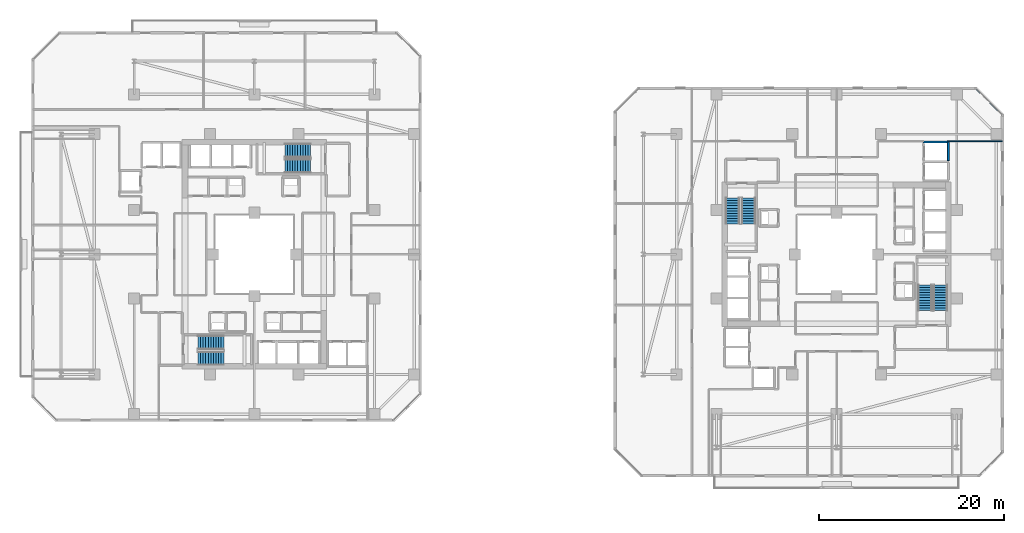
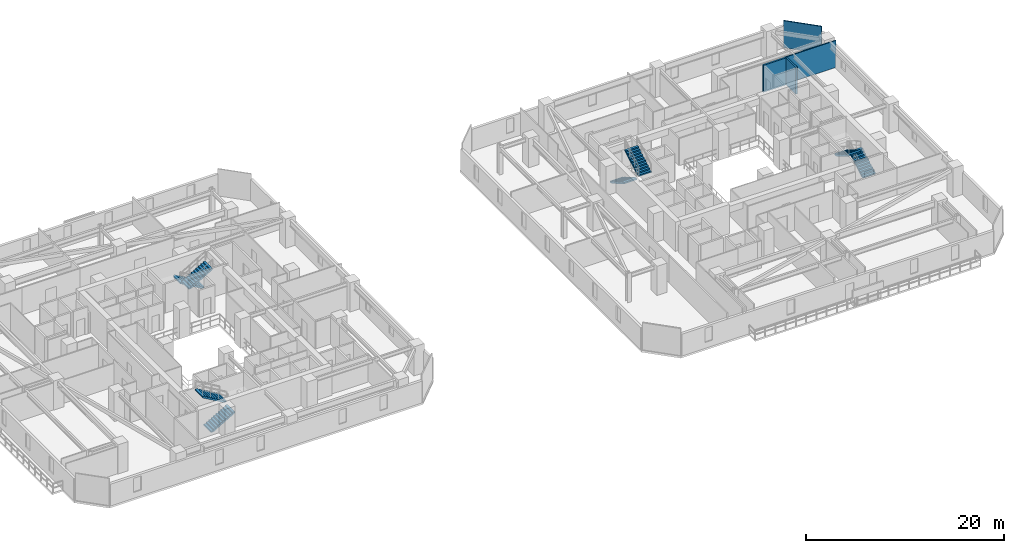
# One storey, part 27 of 33: 8 stair flights, 4 walls, 4 elements without a shape of their own.
"""IFC4 building model written with IfcOpenShell, lengths in metres."""

from ifc_helpers import new_model, si_unit, direction, frame, frame_2d, origin, place, context, subcontext, project, spatial, polyline, rectangle, outline, extrude, material, layer, layer_set, type_object, element, aggregate, save


model = new_model("IFC4")

# Units and contexts
model_context = context("Model", 3, precision=1e-05, world=origin(), true_north=direction((0.0, 1.0)))
body_context = subcontext(model_context, "Body", "Model", "MODEL_VIEW")
ifc_project = project(units=[si_unit("LENGTHUNIT", "METRE"), si_unit("AREAUNIT", "SQUARE_METRE"), si_unit("VOLUMEUNIT", "CUBIC_METRE"), si_unit("PLANEANGLEUNIT", "RADIAN"), si_unit("MASSUNIT", "GRAM", prefix="KILO")], contexts=[model_context])

# Site, building, storey
site_placement = place(None, origin())
site = spatial("IfcSite", under=ifc_project, at=site_placement, CompositionType="ELEMENT")
building_placement = place(site_placement, origin())
building = spatial("IfcBuilding", under=site, at=building_placement, Name="Thornwick Lancets Civic Towers", CompositionType="ELEMENT")
storey_placement = place(building_placement, frame((0.0, 0.0, 112.5)))
storey = spatial("IfcBuildingStorey", under=building, at=storey_placement, Name="L29", CompositionType="ELEMENT", Elevation=112.5)

# Walls
ifc_material_1 = material(Name="Concrete blockwork C40/50", Category="masonry")
ifc_layer_1 = layer(ifc_material_1, 0.199951171875, Name="Concrete blockwork C40/50")
ifc_layer_set_1 = layer_set([ifc_layer_1], Name="Concrete blockwork C40/50")
wall_type_1 = type_object("IfcWallType", Name="WALL_COMP_200", PredefinedType="STANDARD", material=ifc_layer_set_1)
wall_1_placement = place(storey_placement, frame((100.60009765625, 37.132080078125, 0.0), z_axis=(0.0, 0.0, 1.0), x_axis=(0.0, 1.0, 0.0)))
element("IfcWall", 1, at=wall_1_placement, inside=storey, type_object=wall_type_1, Name="L29 Hoistway Shaft Wall PL-BL2 E", PredefinedType="STANDARD", context=body_context, shape_type="SweptSolid", body=[
    extrude(rectangle(XDim=2.015869140625, YDim=0.199951171875, at=frame_2d((1.0078125, 0.0))), origin(), (0.0, 0.0, 1.0), 3.340087890625),
])
wall_2_placement = place(storey_placement, frame((97.85205078125, 39.14990234375, 0.0), z_axis=(0.0, 0.0, 1.0), x_axis=(1.0, 0.0, 0.0)))
element("IfcWall", 2, at=wall_2_placement, inside=storey, type_object=wall_type_1, Name="L29 Hoistway Shaft Wall PL-BL3 N", PredefinedType="STANDARD", context=body_context, shape_type="SweptSolid", body=[
    extrude(rectangle(XDim=2.635986328125, YDim=0.199951171875, at=frame_2d((1.31787109375, 0.0))), origin(), (0.0, 0.0, 1.0), 3.340087890625),
])
ifc_material_2 = material(Name="Acoustic gypsum board partition")
ifc_layer_2 = layer(ifc_material_2, 0.1201171875, Name="Acoustic gypsum board partition")
ifc_layer_set_2 = layer_set([ifc_layer_2], Name="Acoustic gypsum board partition")
wall_type_2 = type_object("IfcWallType", Name="WALL_PART_120", PredefinedType="PARTITIONING", material=ifc_layer_set_2)
wall_3_placement = place(storey_placement, frame((106.419921875, 39.25, 0.0), z_axis=(0.0, 0.0, 1.0), x_axis=(-1.0, 0.0, 0.0)))
element("IfcWall", 3, at=wall_3_placement, inside=storey, type_object=wall_type_2, Name="L29 Partition L29-B-E1 E6", PredefinedType="PARTITIONING", context=body_context, shape_type="SweptSolid", body=[
    extrude(rectangle(XDim=5.931884765625, YDim=0.1201171875, at=frame_2d((2.9658203125, 0.0))), origin(), (0.0, 0.0, 1.0), 3.340087890625),
])
wall_4_placement = place(storey_placement, frame((103.598388671875, 44.919921875, 0.0), z_axis=(0.0, 0.0, 1.0), x_axis=(0.707106781187, -0.707106781187, 0.0)))
element("IfcWall", 4, at=wall_4_placement, inside=storey, type_object=wall_type_2, Name="L29 Partition L29-B-E1 E13", PredefinedType="PARTITIONING", context=body_context, shape_type="SweptSolid", body=[
    extrude(rectangle(XDim=3.990234375, YDim=0.1201171875, at=frame_2d((1.9951171875, 0.0))), origin(), (0.0, 0.0, 1.0), 3.340087890625),
])

# Stair, stair flights
ifc_material_3 = material(Name="Concrete C40/50", Category="concrete")
stair_type = type_object("IfcStairType", Name="STAIR_DL_3600", PredefinedType="HALF_TURN_STAIR", material=ifc_material_3)
stair_1_placement = place(storey_placement, origin())
stair_1 = element("IfcStair", 5, at=stair_1_placement, inside=storey, type_object=stair_type, Name="L29 Tower A South Exit Stair ST-A1", PredefinedType="HALF_TURN_STAIR")
stair_flight_type = type_object("IfcStairFlightType", Name="FLIGHT_3600", PredefinedType="STRAIGHT", material=ifc_material_3)
stair_flight_1_placement = place(storey_placement, frame((19.39990234375, 15.75, 0.0), z_axis=(0.0, 0.0, 1.0), x_axis=(1.0, 0.0, 0.0)))
stair_flight_1 = element("IfcStairFlight", 6, at=stair_flight_1_placement, type_object=stair_flight_type, Name="ST-A1 flight 1", NumberOfRisers=11, NumberOfTreads=10, PredefinedType="STRAIGHT", RiserHeight=0.163636364, TreadLength=0.28, context=body_context, shape_type="SweptSolid", body=[
    extrude(outline(polyline([(0.0, 0.0), (0.0, 0.16357421875), (0.280029296875, 0.16357421875), (0.280029296875, 0.327392578125), (0.56005859375, 0.327392578125), (0.56005859375, 0.490966796875), (0.840087890625, 0.490966796875), (0.840087890625, 0.654541015625), (1.1201171875, 0.654541015625), (1.1201171875, 0.818115234375), (1.39990234375, 0.818115234375), (1.39990234375, 0.98193359375), (1.679931640625, 0.98193359375), (1.679931640625, 1.1455078125), (1.9599609375, 1.1455078125), (1.9599609375, 1.30908203125), (2.239990234375, 1.30908203125), (2.239990234375, 1.47265625), (2.52001953125, 1.47265625), (2.52001953125, 1.636474609375), (2.800048828125, 1.636474609375), (2.800048828125, 1.800048828125), (2.800048828125, 1.462646484375), (0.297119140625, 0.0), (0.0, 0.0)])), frame((0.0, 0.75, 0.0), z_axis=(0.0, -1.0, 0.0), x_axis=(1.0, 0.0, 0.0)), (0.0, 0.0, 1.0), 1.5),
])
stair_flight_2_placement = place(storey_placement, frame((22.199951171875, 17.449951171875, 1.800048828125), z_axis=(0.0, 0.0, 1.0), x_axis=(-1.0, 0.0, 0.0)))
stair_flight_2 = element("IfcStairFlight", 7, at=stair_flight_2_placement, type_object=stair_flight_type, Name="ST-A1 flight 2", NumberOfRisers=11, NumberOfTreads=10, PredefinedType="STRAIGHT", RiserHeight=0.163636364, TreadLength=0.28, context=body_context, shape_type="SweptSolid", body=[
    extrude(outline(polyline([(0.0, 0.0), (0.0, 0.16357421875), (0.280029296875, 0.16357421875), (0.280029296875, 0.327392578125), (0.56005859375, 0.327392578125), (0.56005859375, 0.490966796875), (0.840087890625, 0.490966796875), (0.840087890625, 0.654541015625), (1.1201171875, 0.654541015625), (1.1201171875, 0.818115234375), (1.39990234375, 0.818115234375), (1.39990234375, 0.98193359375), (1.679931640625, 0.98193359375), (1.679931640625, 1.1455078125), (1.9599609375, 1.1455078125), (1.9599609375, 1.30908203125), (2.239990234375, 1.30908203125), (2.239990234375, 1.47265625), (2.52001953125, 1.47265625), (2.52001953125, 1.636474609375), (2.800048828125, 1.636474609375), (2.800048828125, 1.800048828125), (2.800048828125, 1.462646484375), (0.297119140625, 0.0), (0.0, 0.0)])), frame((0.0, 0.75, 0.0), z_axis=(0.0, -1.0, 0.0), x_axis=(1.0, 0.0, 0.0)), (0.0, 0.0, 1.0), 1.5),
])
aggregate(stair_1, [stair_flight_1, stair_flight_2])

stair_2_placement = place(storey_placement, origin())
stair_2 = element("IfcStair", 8, at=stair_2_placement, inside=storey, type_object=stair_type, Name="L29 Tower A North Exit Stair ST-A2", PredefinedType="HALF_TURN_STAIR")
stair_flight_3_placement = place(storey_placement, frame((31.60009765625, 38.25, 0.0), z_axis=(0.0, 0.0, 1.0), x_axis=(-1.0, 0.0, 0.0)))
stair_flight_3 = element("IfcStairFlight", 9, at=stair_flight_3_placement, type_object=stair_flight_type, Name="ST-A2 flight 1", NumberOfRisers=11, NumberOfTreads=10, PredefinedType="STRAIGHT", RiserHeight=0.163636364, TreadLength=0.28, context=body_context, shape_type="SweptSolid", body=[
    extrude(outline(polyline([(0.0, 0.0), (0.0, 0.16357421875), (0.280029296875, 0.16357421875), (0.280029296875, 0.327392578125), (0.56005859375, 0.327392578125), (0.56005859375, 0.490966796875), (0.840087890625, 0.490966796875), (0.840087890625, 0.654541015625), (1.1201171875, 0.654541015625), (1.1201171875, 0.818115234375), (1.39990234375, 0.818115234375), (1.39990234375, 0.98193359375), (1.679931640625, 0.98193359375), (1.679931640625, 1.1455078125), (1.9599609375, 1.1455078125), (1.9599609375, 1.30908203125), (2.239990234375, 1.30908203125), (2.239990234375, 1.47265625), (2.52001953125, 1.47265625), (2.52001953125, 1.636474609375), (2.800048828125, 1.636474609375), (2.800048828125, 1.800048828125), (2.800048828125, 1.462646484375), (0.297119140625, 0.0), (0.0, 0.0)])), frame((0.0, 0.75, 0.0), z_axis=(0.0, -1.0, 0.0), x_axis=(1.0, 0.0, 0.0)), (0.0, 0.0, 1.0), 1.5),
])
stair_flight_4_placement = place(storey_placement, frame((28.800048828125, 36.550048828125, 1.800048828125), z_axis=(0.0, 0.0, 1.0), x_axis=(1.0, 0.0, 0.0)))
stair_flight_4 = element("IfcStairFlight", 10, at=stair_flight_4_placement, type_object=stair_flight_type, Name="ST-A2 flight 2", NumberOfRisers=11, NumberOfTreads=10, PredefinedType="STRAIGHT", RiserHeight=0.163636364, TreadLength=0.28, context=body_context, shape_type="SweptSolid", body=[
    extrude(outline(polyline([(0.0, 0.0), (0.0, 0.16357421875), (0.280029296875, 0.16357421875), (0.280029296875, 0.327392578125), (0.56005859375, 0.327392578125), (0.56005859375, 0.490966796875), (0.840087890625, 0.490966796875), (0.840087890625, 0.654541015625), (1.1201171875, 0.654541015625), (1.1201171875, 0.818115234375), (1.39990234375, 0.818115234375), (1.39990234375, 0.98193359375), (1.679931640625, 0.98193359375), (1.679931640625, 1.1455078125), (1.9599609375, 1.1455078125), (1.9599609375, 1.30908203125), (2.239990234375, 1.30908203125), (2.239990234375, 1.47265625), (2.52001953125, 1.47265625), (2.52001953125, 1.636474609375), (2.800048828125, 1.636474609375), (2.800048828125, 1.800048828125), (2.800048828125, 1.462646484375), (0.297119140625, 0.0), (0.0, 0.0)])), frame((0.0, 0.75, 0.0), z_axis=(0.0, -1.0, 0.0), x_axis=(1.0, 0.0, 0.0)), (0.0, 0.0, 1.0), 1.5),
])
aggregate(stair_2, [stair_flight_3, stair_flight_4])

stair_3_placement = place(storey_placement, origin())
stair_3 = element("IfcStair", 11, at=stair_3_placement, inside=storey, type_object=stair_type, Name="L29 Tower B East Exit Stair ST-B1", PredefinedType="HALF_TURN_STAIR")
stair_flight_5_placement = place(storey_placement, frame((99.75, 20.89990234375, 0.0), z_axis=(0.0, 0.0, 1.0), x_axis=(0.0, 1.0, 0.0)))
stair_flight_5 = element("IfcStairFlight", 12, at=stair_flight_5_placement, type_object=stair_flight_type, Name="ST-B1 flight 1", NumberOfRisers=11, NumberOfTreads=10, PredefinedType="STRAIGHT", RiserHeight=0.163636364, TreadLength=0.28, context=body_context, shape_type="SweptSolid", body=[
    extrude(outline(polyline([(0.0, 0.0), (0.0, 0.16357421875), (0.280029296875, 0.16357421875), (0.280029296875, 0.327392578125), (0.56005859375, 0.327392578125), (0.56005859375, 0.490966796875), (0.840087890625, 0.490966796875), (0.840087890625, 0.654541015625), (1.1201171875, 0.654541015625), (1.1201171875, 0.818115234375), (1.39990234375, 0.818115234375), (1.39990234375, 0.98193359375), (1.679931640625, 0.98193359375), (1.679931640625, 1.1455078125), (1.9599609375, 1.1455078125), (1.9599609375, 1.30908203125), (2.239990234375, 1.30908203125), (2.239990234375, 1.47265625), (2.52001953125, 1.47265625), (2.52001953125, 1.636474609375), (2.800048828125, 1.636474609375), (2.800048828125, 1.800048828125), (2.800048828125, 1.462646484375), (0.297119140625, 0.0), (0.0, 0.0)])), frame((0.0, 0.75, 0.0), z_axis=(0.0, -1.0, 0.0), x_axis=(1.0, 0.0, 0.0)), (0.0, 0.0, 1.0), 1.5),
])
stair_flight_6_placement = place(storey_placement, frame((98.050048828125, 23.699951171875, 1.800048828125), z_axis=(0.0, 0.0, 1.0), x_axis=(0.0, -1.0, 0.0)))
stair_flight_6 = element("IfcStairFlight", 13, at=stair_flight_6_placement, type_object=stair_flight_type, Name="ST-B1 flight 2", NumberOfRisers=11, NumberOfTreads=10, PredefinedType="STRAIGHT", RiserHeight=0.163636364, TreadLength=0.28, context=body_context, shape_type="SweptSolid", body=[
    extrude(outline(polyline([(0.0, 0.0), (0.0, 0.16357421875), (0.280029296875, 0.16357421875), (0.280029296875, 0.327392578125), (0.56005859375, 0.327392578125), (0.56005859375, 0.490966796875), (0.840087890625, 0.490966796875), (0.840087890625, 0.654541015625), (1.1201171875, 0.654541015625), (1.1201171875, 0.818115234375), (1.39990234375, 0.818115234375), (1.39990234375, 0.98193359375), (1.679931640625, 0.98193359375), (1.679931640625, 1.1455078125), (1.9599609375, 1.1455078125), (1.9599609375, 1.30908203125), (2.239990234375, 1.30908203125), (2.239990234375, 1.47265625), (2.52001953125, 1.47265625), (2.52001953125, 1.636474609375), (2.800048828125, 1.636474609375), (2.800048828125, 1.800048828125), (2.800048828125, 1.462646484375), (0.297119140625, 0.0), (0.0, 0.0)])), frame((0.0, 0.75, 0.0), z_axis=(0.0, -1.0, 0.0), x_axis=(1.0, 0.0, 0.0)), (0.0, 0.0, 1.0), 1.5),
])
aggregate(stair_3, [stair_flight_5, stair_flight_6])

stair_4_placement = place(storey_placement, origin())
stair_4 = element("IfcStair", 14, at=stair_4_placement, inside=storey, type_object=stair_type, Name="L29 Tower B West Exit Stair ST-B2", PredefinedType="HALF_TURN_STAIR")
stair_flight_7_placement = place(storey_placement, frame((77.25, 33.10009765625, 0.0), z_axis=(0.0, 0.0, 1.0), x_axis=(0.0, -1.0, 0.0)))
stair_flight_7 = element("IfcStairFlight", 15, at=stair_flight_7_placement, type_object=stair_flight_type, Name="ST-B2 flight 1", NumberOfRisers=11, NumberOfTreads=10, PredefinedType="STRAIGHT", RiserHeight=0.163636364, TreadLength=0.28, context=body_context, shape_type="SweptSolid", body=[
    extrude(outline(polyline([(0.0, 0.0), (0.0, 0.16357421875), (0.280029296875, 0.16357421875), (0.280029296875, 0.327392578125), (0.56005859375, 0.327392578125), (0.56005859375, 0.490966796875), (0.840087890625, 0.490966796875), (0.840087890625, 0.654541015625), (1.1201171875, 0.654541015625), (1.1201171875, 0.818115234375), (1.39990234375, 0.818115234375), (1.39990234375, 0.98193359375), (1.679931640625, 0.98193359375), (1.679931640625, 1.1455078125), (1.9599609375, 1.1455078125), (1.9599609375, 1.30908203125), (2.239990234375, 1.30908203125), (2.239990234375, 1.47265625), (2.52001953125, 1.47265625), (2.52001953125, 1.636474609375), (2.800048828125, 1.636474609375), (2.800048828125, 1.800048828125), (2.800048828125, 1.462646484375), (0.297119140625, 0.0), (0.0, 0.0)])), frame((0.0, 0.75, 0.0), z_axis=(0.0, -1.0, 0.0), x_axis=(1.0, 0.0, 0.0)), (0.0, 0.0, 1.0), 1.5),
])
stair_flight_8_placement = place(storey_placement, frame((78.949951171875, 30.300048828125, 1.800048828125), z_axis=(0.0, 0.0, 1.0), x_axis=(0.0, 1.0, 0.0)))
stair_flight_8 = element("IfcStairFlight", 16, at=stair_flight_8_placement, type_object=stair_flight_type, Name="ST-B2 flight 2", NumberOfRisers=11, NumberOfTreads=10, PredefinedType="STRAIGHT", RiserHeight=0.163636364, TreadLength=0.28, context=body_context, shape_type="SweptSolid", body=[
    extrude(outline(polyline([(0.0, 0.0), (0.0, 0.16357421875), (0.280029296875, 0.16357421875), (0.280029296875, 0.327392578125), (0.56005859375, 0.327392578125), (0.56005859375, 0.490966796875), (0.840087890625, 0.490966796875), (0.840087890625, 0.654541015625), (1.1201171875, 0.654541015625), (1.1201171875, 0.818115234375), (1.39990234375, 0.818115234375), (1.39990234375, 0.98193359375), (1.679931640625, 0.98193359375), (1.679931640625, 1.1455078125), (1.9599609375, 1.1455078125), (1.9599609375, 1.30908203125), (2.239990234375, 1.30908203125), (2.239990234375, 1.47265625), (2.52001953125, 1.47265625), (2.52001953125, 1.636474609375), (2.800048828125, 1.636474609375), (2.800048828125, 1.800048828125), (2.800048828125, 1.462646484375), (0.297119140625, 0.0), (0.0, 0.0)])), frame((0.0, 0.75, 0.0), z_axis=(0.0, -1.0, 0.0), x_axis=(1.0, 0.0, 0.0)), (0.0, 0.0, 1.0), 1.5),
])
aggregate(stair_4, [stair_flight_7, stair_flight_8])

save(model, "model.ifc")
